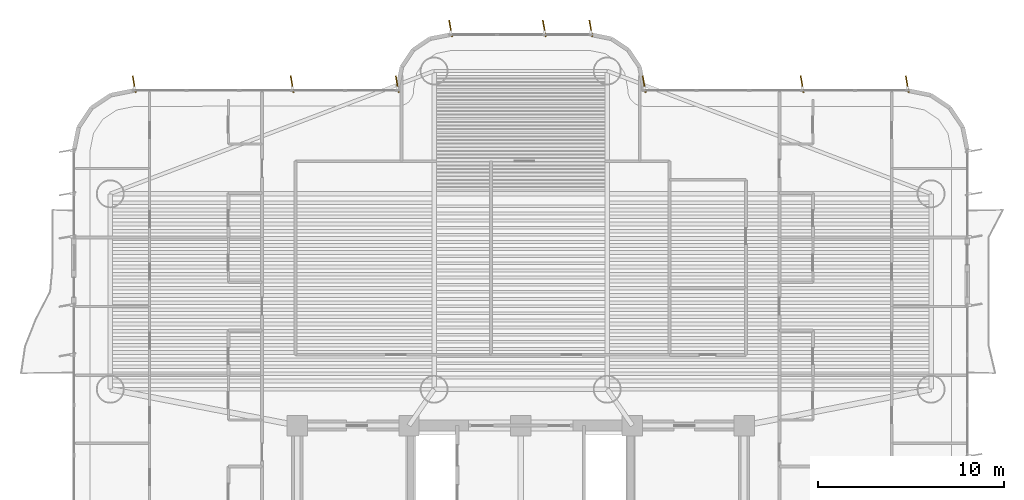
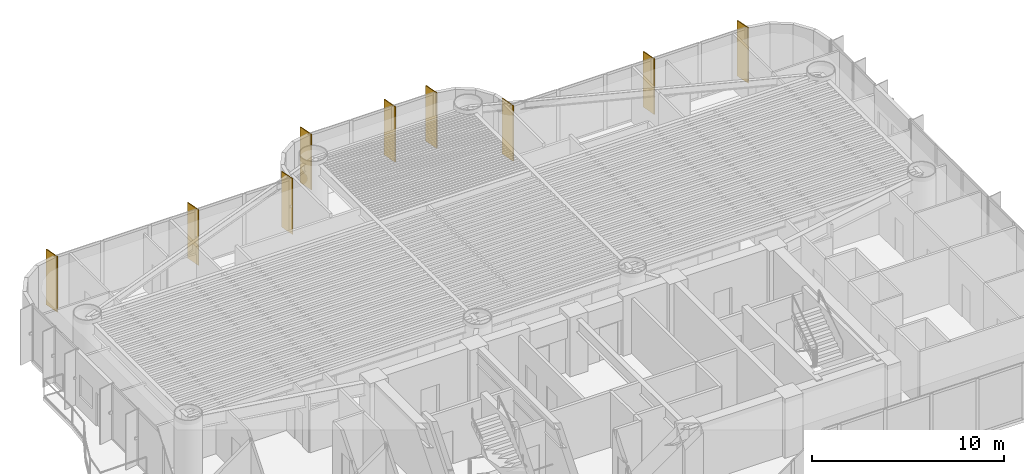
# One storey, part 19 of 19: 9 shading devices.
"""IFC4 building model written with IfcOpenShell, lengths in metres."""

from ifc_helpers import new_model, si_unit, direction, frame, origin, origin_2d, place, context, subcontext, project, spatial, rectangle, extrude, source, transform, mapped, material, material_profile, profile_set, type_object, element, save


model = new_model("IFC4")

# Units and contexts
model_context = context("Model", 3, precision=1e-05, world=origin(), true_north=direction((0.0, 1.0)))
body_context = subcontext(model_context, "Body", "Model", "MODEL_VIEW")
ifc_project = project(units=[si_unit("LENGTHUNIT", "METRE"), si_unit("AREAUNIT", "SQUARE_METRE"), si_unit("VOLUMEUNIT", "CUBIC_METRE"), si_unit("PLANEANGLEUNIT", "RADIAN"), si_unit("MASSUNIT", "GRAM", prefix="KILO")], contexts=[model_context])

# Site, building, storey
site_placement = place(None, origin())
site = spatial("IfcSite", under=ifc_project, at=site_placement, CompositionType="ELEMENT")
building_placement = place(site_placement, origin())
building = spatial("IfcBuilding", under=site, at=building_placement, Name="Brelvock Crest Care Tower", CompositionType="ELEMENT")
storey_placement = place(building_placement, frame((0.0, 0.0, 30.780029296875)))
storey = spatial("IfcBuildingStorey", under=building, at=storey_placement, Name="L07", CompositionType="ELEMENT", Elevation=30.780029296875)

# Shading devices
ifc_material = material(Name="Aluminium 6063-T6", Category="aluminium")
ifc_material_profile = material_profile(ifc_material, rectangle(XDim=0.054931640625, YDim=0.89990234375, at=origin_2d()), Name="FIN55x900")
ifc_profile_set = profile_set([ifc_material_profile], Name="Aluminium 6063-T6")
shading_device_type = type_object("IfcShadingDeviceType", Name="SHD-FIN1", PredefinedType="USERDEFINED", material=ifc_profile_set)
shared_shape = source(origin(), body_context, "Body", "SweptSolid", [
    extrude(rectangle(XDim=0.054931640625, YDim=0.89990234375, at=origin_2d()), origin(), (0.0, 0.0, 1.0), 3.530029296875),
])
for number, where, z_axis, x_axis, name in (
    (1, (15.232421875, 36.340087890625, 0.0), (0.0, 0.0, 1.0), (0.984807753012, 0.173648177667, 0.0), "L07 Vertical Sunshade Fin E18-01"),
    (2, (23.719970703125, 36.340087890625, 0.0), (0.0, 0.0, 1.0), (0.984807753012, 0.173648177667, 0.0), "L07 Vertical Sunshade Fin E18-04"),
    (3, (29.367431640625, 36.340087890625, 0.0), (0.0, 0.0, 1.0), (0.984807753012, 0.173648177667, 0.0), "L07 Vertical Sunshade Fin E18-06"),
    (4, (32.232421875, 39.340087890625, 0.0), (0.0, 0.0, 1.0), (0.984807753012, 0.173648177667, 0.0), "L07 Vertical Sunshade Fin E24-01"),
    (5, (37.2666015625, 39.340087890625, 0.0), (0.0, 0.0, 1.0), (0.984807753012, 0.173648177667, 0.0), "L07 Vertical Sunshade Fin E24-03"),
    (6, (39.767578125, 39.340087890625, 0.0), (0.0, 0.0, 1.0), (0.984807753012, 0.173648177667, 0.0), "L07 Vertical Sunshade Fin E24-04"),
    (7, (42.632568359375, 36.340087890625, 0.0), (0.0, 0.0, 1.0), (0.984807753012, 0.173648177667, 0.0), "L07 Vertical Sunshade Fin E30-01"),
    (8, (51.1201171875, 36.340087890625, 0.0), (0.0, 0.0, 1.0), (0.984807753012, 0.173648177667, 0.0), "L07 Vertical Sunshade Fin E30-04"),
    (9, (56.767578125, 36.340087890625, 0.0), (0.0, 0.0, 1.0), (0.984807753012, 0.173648177667, 0.0), "L07 Vertical Sunshade Fin E30-06"),
):
    element("IfcShadingDevice", number, at=place(storey_placement, frame(where, z_axis=z_axis, x_axis=x_axis)), inside=storey, type_object=shading_device_type, Name=name, ObjectType="FIN", PredefinedType="USERDEFINED", context=body_context, shape_type="MappedRepresentation", body=[
        mapped(shared_shape, transform((0.0, 0.0, 0.0), x_axis=(1.0, 0.0, 0.0), y_axis=(0.0, 1.0, 0.0), z_axis=(0.0, 0.0, 1.0), scale=1.0)),
    ])

save(model, "model.ifc")
